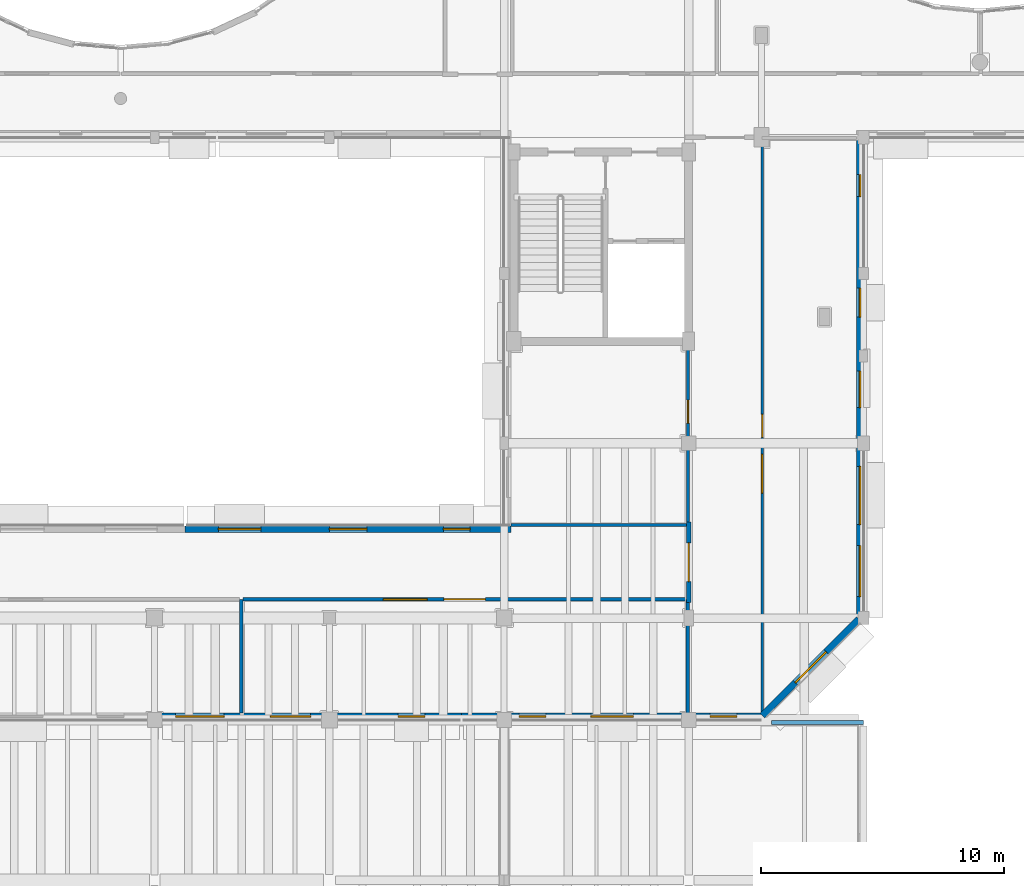
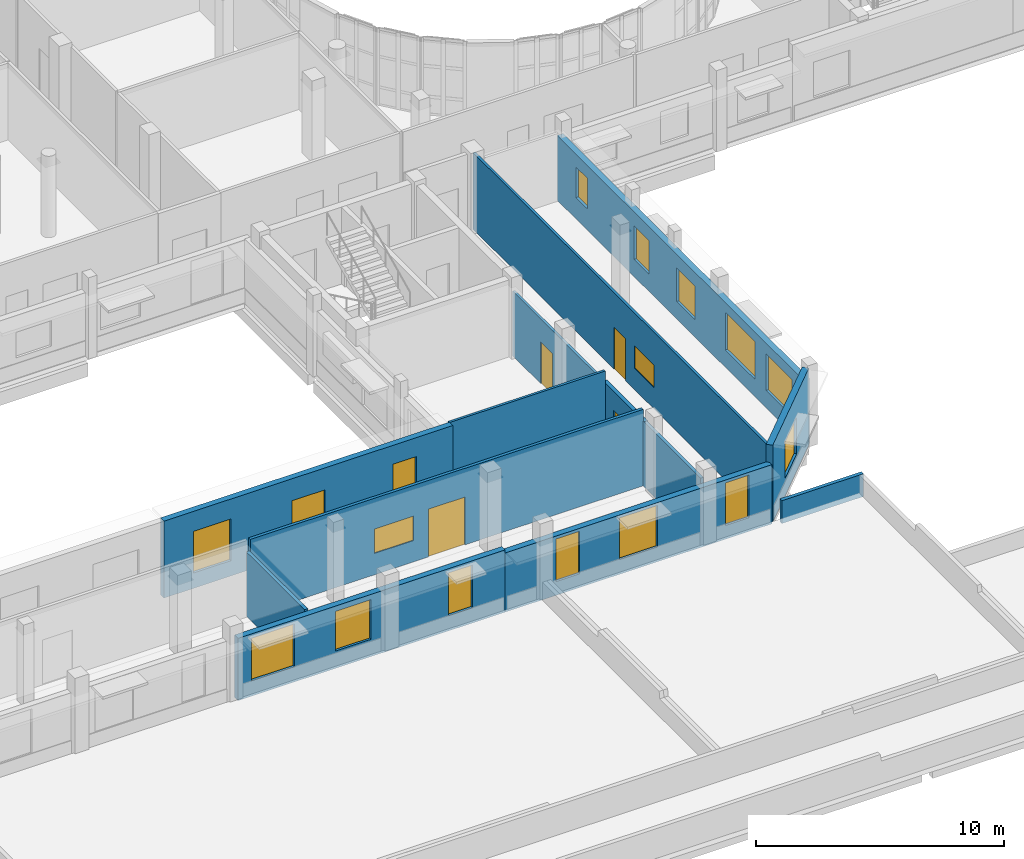
# One storey, part 77 of 105: 17 windows, 13 walls, 4 doors, 21 openings.
"""IFC4 building model written with IfcOpenShell, lengths in metres."""

from ifc_helpers import new_model, si_unit, direction, frame, frame_2d, origin, place, context, subcontext, project, spatial, rectangle, extrude, material, layer, layer_set, type_object, element, fill, save


model = new_model("IFC4")

# Units and contexts
model_context = context("Model", 3, precision=1e-05, world=origin(), true_north=direction((0.0, 1.0)))
body_context = subcontext(model_context, "Body", "Model", "MODEL_VIEW")
ifc_project = project(units=[si_unit("LENGTHUNIT", "METRE"), si_unit("AREAUNIT", "SQUARE_METRE"), si_unit("VOLUMEUNIT", "CUBIC_METRE"), si_unit("PLANEANGLEUNIT", "RADIAN"), si_unit("MASSUNIT", "GRAM", prefix="KILO")], contexts=[model_context])

# Site, building, storey
site_placement = place(None, origin())
site = spatial("IfcSite", under=ifc_project, at=site_placement, CompositionType="ELEMENT")
building_placement = place(site_placement, origin())
building = spatial("IfcBuilding", under=site, at=building_placement, Name="Kelanivale Promenade Academy", CompositionType="ELEMENT")
storey_placement = place(building_placement, frame((0.0, 0.0, 4.199951171875)))
storey = spatial("IfcBuildingStorey", under=building, at=storey_placement, Name="L01", CompositionType="ELEMENT", Elevation=4.199951171875)

# Wall, openings, windows
ifc_material_1 = material(Name="Insulated ivory stucco masonry wall 280 mm", Category="masonry")
ifc_layer_1 = layer(ifc_material_1, 0.280029296875)
ifc_layer_set_1 = layer_set([ifc_layer_1], Name="Insulated ivory stucco masonry wall 280 mm")
wall_type_1 = type_object("IfcWallType", Name="EW-02 Wall 280mm", PredefinedType="SOLIDWALL", material=ifc_layer_set_1)
wall_1_placement = place(storey_placement, frame((65.0458984375, 18.139892578125, 0.0), z_axis=(0.0, 0.0, 1.0), x_axis=(1.0, 0.0, 0.0)))
wall_1 = element("IfcWall", 1, at=wall_1_placement, inside=storey, type_object=wall_type_1, Name="L01 exterior facade wall EW-L01-ORT-0358", PredefinedType="SOLIDWALL", context=body_context, shape_type="SweptSolid", body=[
    extrude(rectangle(XDim=12.404052734375, YDim=0.280029296875, at=frame_2d((6.2021484375, 0.0))), origin(), (0.0, 0.0, 1.0), 3.06005859375),
])
opening_1_placement = place(wall_1_placement, frame((0.616943359375, 0.0, 0.75)))
opening_1 = element("IfcOpeningElement", 2, at=opening_1_placement, cuts=wall_1, Name="Opening WT-14", PredefinedType="OPENING", context=body_context, shape_type="SweptSolid", body=[
    extrude(rectangle(XDim=2.0, YDim=2.10009765625, at=frame_2d((1.0, 1.050048828125))), frame((0.0, 0.14990234375, 0.0), z_axis=(0.0, -1.0, 0.0), x_axis=(1.0, 0.0, 0.0)), (0.0, 0.0, 1.0), 0.300048828125),
])
opening_2_placement = place(wall_1_placement, frame((4.527099609375, 0.0, 0.85009765625)))
opening_2 = element("IfcOpeningElement", 3, at=opening_2_placement, cuts=wall_1, Name="Opening WT-16", PredefinedType="OPENING", context=body_context, shape_type="SweptSolid", body=[
    extrude(rectangle(XDim=1.64990234375, YDim=1.949951171875, at=frame_2d((0.824951171875, 0.97509765625))), frame((0.0, 0.14990234375, 0.0), z_axis=(0.0, -1.0, 0.0), x_axis=(1.0, 0.0, 0.0)), (0.0, 0.0, 1.0), 0.300048828125),
])
opening_3_placement = place(wall_1_placement, frame((9.787109375, 0.0, 0.75)))
opening_3 = element("IfcOpeningElement", 4, at=opening_3_placement, cuts=wall_1, Name="Opening WT-17", PredefinedType="OPENING", context=body_context, shape_type="SweptSolid", body=[
    extrude(rectangle(XDim=1.10009765625, YDim=2.10009765625, at=frame_2d((0.550048828125, 1.050048828125))), frame((0.0, 0.14990234375, 0.0), z_axis=(0.0, -1.0, 0.0), x_axis=(1.0, 0.0, 0.0)), (0.0, 0.0, 1.0), 0.300048828125),
])
ifc_material_2 = material(Name="Bronze anodised aluminium frame with low-E laminated glass", Category="aluminium")
window_type_1 = type_object("IfcWindowType", Name="WT-14 Window 2000x2100", PartitioningType="SINGLE_PANEL", PredefinedType="WINDOW", material=ifc_material_2)
window_1_placement = place(opening_1_placement, origin())
window_1 = element("IfcWindow", 5, at=window_1_placement, inside=storey, type_object=window_type_1, Name="Window WT-14", OverallHeight=2.10009765625, OverallWidth=2.0, PartitioningType="SINGLE_PANEL", PredefinedType="WINDOW", context=body_context, shape_type="SweptSolid", body=[
    extrude(rectangle(XDim=2.0, YDim=2.10009765625, at=frame_2d((1.0, 1.050048828125))), frame((0.0, 0.030029296875, 0.0), z_axis=(0.0, -1.0, 0.0), x_axis=(1.0, 0.0, 0.0)), (0.0, 0.0, 1.0), 0.06005859375),
])
fill(opening_1, window_1)
window_type_2 = type_object("IfcWindowType", Name="WT-16 Window 1650x1950", PartitioningType="SINGLE_PANEL", PredefinedType="WINDOW", material=ifc_material_2)
window_2_placement = place(opening_2_placement, origin())
window_2 = element("IfcWindow", 6, at=window_2_placement, inside=storey, type_object=window_type_2, Name="Window WT-16", OverallHeight=1.949951171875, OverallWidth=1.64990234375, PartitioningType="SINGLE_PANEL", PredefinedType="WINDOW", context=body_context, shape_type="SweptSolid", body=[
    extrude(rectangle(XDim=1.64990234375, YDim=1.949951171875, at=frame_2d((0.824951171875, 0.97509765625))), frame((0.0, 0.030029296875, 0.0), z_axis=(0.0, -1.0, 0.0), x_axis=(1.0, 0.0, 0.0)), (0.0, 0.0, 1.0), 0.06005859375),
])
fill(opening_2, window_2)
window_type_3 = type_object("IfcWindowType", Name="WT-17 Window 1100x2100", PartitioningType="SINGLE_PANEL", PredefinedType="WINDOW", material=ifc_material_2)
window_3_placement = place(opening_3_placement, origin())
window_3 = element("IfcWindow", 7, at=window_3_placement, inside=storey, type_object=window_type_3, Name="Window WT-17", OverallHeight=2.10009765625, OverallWidth=1.10009765625, PartitioningType="SINGLE_PANEL", PredefinedType="WINDOW", context=body_context, shape_type="SweptSolid", body=[
    extrude(rectangle(XDim=1.10009765625, YDim=2.10009765625, at=frame_2d((0.550048828125, 1.050048828125))), frame((0.0, 0.030029296875, 0.0), z_axis=(0.0, -1.0, 0.0), x_axis=(1.0, 0.0, 0.0)), (0.0, 0.0, 1.0), 0.06005859375),
])
fill(opening_3, window_3)

wall_2_placement = place(storey_placement, frame((77.449951171875, 18.139892578125, 0.0), z_axis=(0.0, 0.0, 1.0), x_axis=(1.0, 0.0, 0.0)))
wall_2 = element("IfcWall", 8, at=wall_2_placement, inside=storey, type_object=wall_type_1, Name="L01 exterior facade wall EW-L01-ORT-0359", PredefinedType="SOLIDWALL", context=body_context, shape_type="SweptSolid", body=[
    extrude(rectangle(XDim=12.404052734375, YDim=0.280029296875, at=frame_2d((6.2021484375, 0.0))), origin(), (0.0, 0.0, 1.0), 2.91015625),
])
opening_4_placement = place(wall_2_placement, frame((2.366943359375, 0.0, 0.669921875)))
opening_4 = element("IfcOpeningElement", 9, at=opening_4_placement, cuts=wall_2, Name="Opening WT-17", PredefinedType="OPENING", context=body_context, shape_type="SweptSolid", body=[
    extrude(rectangle(XDim=1.10009765625, YDim=2.10009765625, at=frame_2d((0.550048828125, 1.050048828125))), frame((0.0, 0.14990234375, 0.0), z_axis=(0.0, -1.0, 0.0), x_axis=(1.0, 0.0, 0.0)), (0.0, 0.0, 1.0), 0.300048828125),
])
opening_5_placement = place(wall_2_placement, frame((5.326904296875, 0.0, 0.719970703125)))
opening_5 = element("IfcOpeningElement", 10, at=opening_5_placement, cuts=wall_2, Name="Opening WT-32", PredefinedType="OPENING", context=body_context, shape_type="SweptSolid", body=[
    extrude(rectangle(XDim=1.75, YDim=2.050048828125, at=frame_2d((0.875, 1.02490234375))), frame((0.0, 0.14990234375, 0.0), z_axis=(0.0, -1.0, 0.0), x_axis=(1.0, 0.0, 0.0)), (0.0, 0.0, 1.0), 0.300048828125),
])
opening_6_placement = place(wall_2_placement, frame((10.237060546875, 0.0, 0.669921875)))
opening_6 = element("IfcOpeningElement", 11, at=opening_6_placement, cuts=wall_2, Name="Opening WT-17", PredefinedType="OPENING", context=body_context, shape_type="SweptSolid", body=[
    extrude(rectangle(XDim=1.10009765625, YDim=2.10009765625, at=frame_2d((0.550048828125, 1.050048828125))), frame((0.0, 0.14990234375, 0.0), z_axis=(0.0, -1.0, 0.0), x_axis=(1.0, 0.0, 0.0)), (0.0, 0.0, 1.0), 0.300048828125),
])
window_4_placement = place(opening_4_placement, origin())
window_4 = element("IfcWindow", 12, at=window_4_placement, inside=storey, type_object=window_type_3, Name="Window WT-17", OverallHeight=2.10009765625, OverallWidth=1.10009765625, PartitioningType="SINGLE_PANEL", PredefinedType="WINDOW", context=body_context, shape_type="SweptSolid", body=[
    extrude(rectangle(XDim=1.10009765625, YDim=2.10009765625, at=frame_2d((0.550048828125, 1.050048828125))), frame((0.0, 0.030029296875, 0.0), z_axis=(0.0, -1.0, 0.0), x_axis=(1.0, 0.0, 0.0)), (0.0, 0.0, 1.0), 0.06005859375),
])
fill(opening_4, window_4)
window_5_placement = place(opening_6_placement, origin())
window_5 = element("IfcWindow", 13, at=window_5_placement, inside=storey, type_object=window_type_3, Name="Window WT-17", OverallHeight=2.10009765625, OverallWidth=1.10009765625, PartitioningType="SINGLE_PANEL", PredefinedType="WINDOW", context=body_context, shape_type="SweptSolid", body=[
    extrude(rectangle(XDim=1.10009765625, YDim=2.10009765625, at=frame_2d((0.550048828125, 1.050048828125))), frame((0.0, 0.030029296875, 0.0), z_axis=(0.0, -1.0, 0.0), x_axis=(1.0, 0.0, 0.0)), (0.0, 0.0, 1.0), 0.06005859375),
])
fill(opening_6, window_5)
window_type_4 = type_object("IfcWindowType", Name="WT-32 Window 1750x2050", PartitioningType="SINGLE_PANEL", PredefinedType="WINDOW", material=ifc_material_2)
window_6_placement = place(opening_5_placement, origin())
window_6 = element("IfcWindow", 14, at=window_6_placement, inside=storey, type_object=window_type_4, Name="Window WT-32", OverallHeight=2.050048828125, OverallWidth=1.75, PartitioningType="SINGLE_PANEL", PredefinedType="WINDOW", context=body_context, shape_type="SweptSolid", body=[
    extrude(rectangle(XDim=1.75, YDim=2.050048828125, at=frame_2d((0.875, 1.02490234375))), frame((0.0, 0.030029296875, 0.0), z_axis=(0.0, -1.0, 0.0), x_axis=(1.0, 0.0, 0.0)), (0.0, 0.0, 1.0), 0.06005859375),
])
fill(opening_5, window_6)

# Wall, opening, window
wall_3_placement = place(storey_placement, frame((89.842041015625, 18.18408203125, 0.0), z_axis=(0.0, 0.0, 1.0), x_axis=(0.707106781187, 0.707106781187, 0.0)))
wall_3 = element("IfcWall", 15, at=wall_3_placement, inside=storey, type_object=wall_type_1, Name="L01 exterior facade wall EW-L01-ORT-0360", PredefinedType="SOLIDWALL", context=body_context, shape_type="SweptSolid", body=[
    extrude(rectangle(XDim=5.619873046875, YDim=0.280029296875, at=frame_2d((2.81005859375, 0.0))), origin(), (0.0, 0.0, 1.0), 3.780029296875),
])
opening_7_placement = place(wall_3_placement, frame((1.909912109375, 0.0, 0.85009765625)))
opening_7 = element("IfcOpeningElement", 16, at=opening_7_placement, cuts=wall_3, Name="Opening WT-01", PredefinedType="OPENING", context=body_context, shape_type="SweptSolid", body=[
    extrude(rectangle(XDim=1.800048828125, YDim=1.800048828125, at=frame_2d((0.89990234375, 0.89990234375))), frame((0.0, 0.14990234375, 0.0), z_axis=(0.0, -1.0, 0.0), x_axis=(1.0, 0.0, 0.0)), (0.0, 0.0, 1.0), 0.300048828125),
])
window_type_5 = type_object("IfcWindowType", Name="WT-01 Window 1800x1800", PartitioningType="SINGLE_PANEL", PredefinedType="WINDOW", material=ifc_material_2)
window_7_placement = place(opening_7_placement, origin())
window_7 = element("IfcWindow", 17, at=window_7_placement, inside=storey, type_object=window_type_5, Name="Window WT-01", OverallHeight=1.800048828125, OverallWidth=1.800048828125, PartitioningType="SINGLE_PANEL", PredefinedType="WINDOW", context=body_context, shape_type="SweptSolid", body=[
    extrude(rectangle(XDim=1.800048828125, YDim=1.800048828125, at=frame_2d((0.89990234375, 0.89990234375))), frame((0.0, 0.030029296875, 0.0), z_axis=(0.0, -1.0, 0.0), x_axis=(1.0, 0.0, 0.0)), (0.0, 0.0, 1.0), 0.06005859375),
])
fill(opening_7, window_7)

# Wall, openings, windows
wall_4_placement = place(storey_placement, frame((93.860107421875, 22.14599609375, 0.0), z_axis=(0.0, 0.0, 1.0), x_axis=(0.0, 1.0, 0.0)))
wall_4 = element("IfcWall", 18, at=wall_4_placement, inside=storey, type_object=wall_type_1, Name="L01 exterior facade wall EW-L01-ORT-0361", PredefinedType="SOLIDWALL", context=body_context, shape_type="SweptSolid", body=[
    extrude(rectangle(XDim=19.85400390625, YDim=0.280029296875, at=frame_2d((9.927001953125, 0.0))), origin(), (0.0, 0.0, 1.0), 3.175048828125),
])
opening_8_placement = place(wall_4_placement, frame((0.93505859375, 0.0, 0.85009765625)))
opening_8 = element("IfcOpeningElement", 19, at=opening_8_placement, cuts=wall_4, Name="Opening WT-02", PredefinedType="OPENING", context=body_context, shape_type="SweptSolid", body=[
    extrude(rectangle(XDim=2.10009765625, YDim=1.800048828125, at=frame_2d((1.050048828125, 0.89990234375))), frame((0.0, 0.14990234375, 0.0), z_axis=(0.0, -1.0, 0.0), x_axis=(1.0, 0.0, 0.0)), (0.0, 0.0, 1.0), 0.300048828125),
])
opening_9_placement = place(wall_4_placement, frame((3.906005859375, 0.0, 0.85009765625)))
opening_9 = element("IfcOpeningElement", 20, at=opening_9_placement, cuts=wall_4, Name="Opening WT-03", PredefinedType="OPENING", context=body_context, shape_type="SweptSolid", body=[
    extrude(rectangle(XDim=2.39990234375, YDim=1.85009765625, at=frame_2d((1.199951171875, 0.925048828125))), frame((0.0, 0.14990234375, 0.0), z_axis=(0.0, -1.0, 0.0), x_axis=(1.0, 0.0, 0.0)), (0.0, 0.0, 1.0), 0.300048828125),
])
opening_10_placement = place(wall_4_placement, frame((8.72705078125, 0.0, 0.85009765625)))
opening_10 = element("IfcOpeningElement", 21, at=opening_10_placement, cuts=wall_4, Name="Opening WT-04", PredefinedType="OPENING", context=body_context, shape_type="SweptSolid", body=[
    extrude(rectangle(XDim=1.5, YDim=1.64990234375, at=frame_2d((0.75, 0.824951171875))), frame((0.0, 0.14990234375, 0.0), z_axis=(0.0, -1.0, 0.0), x_axis=(1.0, 0.0, 0.0)), (0.0, 0.0, 1.0), 0.300048828125),
])
opening_11_placement = place(wall_4_placement, frame((12.447998046875, 0.0, 0.85009765625)))
opening_11 = element("IfcOpeningElement", 22, at=opening_11_placement, cuts=wall_4, Name="Opening WT-05", PredefinedType="OPENING", context=body_context, shape_type="SweptSolid", body=[
    extrude(rectangle(XDim=1.199951171875, YDim=1.64990234375, at=frame_2d((0.60009765625, 0.824951171875))), frame((0.0, 0.14990234375, 0.0), z_axis=(0.0, -1.0, 0.0), x_axis=(1.0, 0.0, 0.0)), (0.0, 0.0, 1.0), 0.300048828125),
])
opening_12_placement = place(wall_4_placement, frame((17.4189453125, 0.0, 1.050048828125)))
opening_12 = element("IfcOpeningElement", 23, at=opening_12_placement, cuts=wall_4, Name="Opening WT-06", PredefinedType="OPENING", context=body_context, shape_type="SweptSolid", body=[
    extrude(rectangle(XDim=0.89990234375, YDim=1.5, at=frame_2d((0.449951171875, 0.75))), frame((0.0, 0.14990234375, 0.0), z_axis=(0.0, -1.0, 0.0), x_axis=(1.0, 0.0, 0.0)), (0.0, 0.0, 1.0), 0.300048828125),
])
window_type_6 = type_object("IfcWindowType", Name="WT-02 Window 2100x1800", PartitioningType="SINGLE_PANEL", PredefinedType="WINDOW", material=ifc_material_2)
window_8_placement = place(opening_8_placement, origin())
window_8 = element("IfcWindow", 24, at=window_8_placement, inside=storey, type_object=window_type_6, Name="Window WT-02", OverallHeight=1.800048828125, OverallWidth=2.10009765625, PartitioningType="SINGLE_PANEL", PredefinedType="WINDOW", context=body_context, shape_type="SweptSolid", body=[
    extrude(rectangle(XDim=2.10009765625, YDim=1.800048828125, at=frame_2d((1.050048828125, 0.89990234375))), frame((0.0, 0.030029296875, 0.0), z_axis=(0.0, -1.0, 0.0), x_axis=(1.0, 0.0, 0.0)), (0.0, 0.0, 1.0), 0.06005859375),
])
fill(opening_8, window_8)
window_type_7 = type_object("IfcWindowType", Name="WT-03 Window 2400x1850", PartitioningType="SINGLE_PANEL", PredefinedType="WINDOW", material=ifc_material_2)
window_9_placement = place(opening_9_placement, origin())
window_9 = element("IfcWindow", 25, at=window_9_placement, inside=storey, type_object=window_type_7, Name="Window WT-03", OverallHeight=1.85009765625, OverallWidth=2.39990234375, PartitioningType="SINGLE_PANEL", PredefinedType="WINDOW", context=body_context, shape_type="SweptSolid", body=[
    extrude(rectangle(XDim=2.39990234375, YDim=1.85009765625, at=frame_2d((1.199951171875, 0.925048828125))), frame((0.0, 0.030029296875, 0.0), z_axis=(0.0, -1.0, 0.0), x_axis=(1.0, 0.0, 0.0)), (0.0, 0.0, 1.0), 0.06005859375),
])
fill(opening_9, window_9)
window_type_8 = type_object("IfcWindowType", Name="WT-04 Window 1500x1650", PartitioningType="SINGLE_PANEL", PredefinedType="WINDOW", material=ifc_material_2)
window_10_placement = place(opening_10_placement, origin())
window_10 = element("IfcWindow", 26, at=window_10_placement, inside=storey, type_object=window_type_8, Name="Window WT-04", OverallHeight=1.64990234375, OverallWidth=1.5, PartitioningType="SINGLE_PANEL", PredefinedType="WINDOW", context=body_context, shape_type="SweptSolid", body=[
    extrude(rectangle(XDim=1.5, YDim=1.64990234375, at=frame_2d((0.75, 0.824951171875))), frame((0.0, 0.030029296875, 0.0), z_axis=(0.0, -1.0, 0.0), x_axis=(1.0, 0.0, 0.0)), (0.0, 0.0, 1.0), 0.06005859375),
])
fill(opening_10, window_10)
window_type_9 = type_object("IfcWindowType", Name="WT-05 Window 1200x1650", PartitioningType="SINGLE_PANEL", PredefinedType="WINDOW", material=ifc_material_2)
window_11_placement = place(opening_11_placement, origin())
window_11 = element("IfcWindow", 27, at=window_11_placement, inside=storey, type_object=window_type_9, Name="Window WT-05", OverallHeight=1.64990234375, OverallWidth=1.199951171875, PartitioningType="SINGLE_PANEL", PredefinedType="WINDOW", context=body_context, shape_type="SweptSolid", body=[
    extrude(rectangle(XDim=1.199951171875, YDim=1.64990234375, at=frame_2d((0.60009765625, 0.824951171875))), frame((0.0, 0.030029296875, 0.0), z_axis=(0.0, -1.0, 0.0), x_axis=(1.0, 0.0, 0.0)), (0.0, 0.0, 1.0), 0.06005859375),
])
fill(opening_11, window_11)
window_type_10 = type_object("IfcWindowType", Name="WT-06 Window 900x1500", PartitioningType="SINGLE_PANEL", PredefinedType="WINDOW", material=ifc_material_2)
window_12_placement = place(opening_12_placement, origin())
window_12 = element("IfcWindow", 28, at=window_12_placement, inside=storey, type_object=window_type_10, Name="Window WT-06", OverallHeight=1.5, OverallWidth=0.89990234375, PartitioningType="SINGLE_PANEL", PredefinedType="WINDOW", context=body_context, shape_type="SweptSolid", body=[
    extrude(rectangle(XDim=0.89990234375, YDim=1.5, at=frame_2d((0.449951171875, 0.75))), frame((0.0, 0.030029296875, 0.0), z_axis=(0.0, -1.0, 0.0), x_axis=(1.0, 0.0, 0.0)), (0.0, 0.0, 1.0), 0.06005859375),
])
fill(opening_12, window_12)

wall_5_placement = place(storey_placement, frame((79.47998046875, 25.860107421875, 0.0), z_axis=(0.0, 0.0, 1.0), x_axis=(-1.0, 0.0, 0.0)))
wall_5 = element("IfcWall", 29, at=wall_5_placement, inside=storey, type_object=wall_type_1, Name="L01 exterior facade wall EW-L01-ORT-0394", PredefinedType="SOLIDWALL", context=body_context, shape_type="SweptSolid", body=[
    extrude(rectangle(XDim=13.4189453125, YDim=0.280029296875, at=frame_2d((6.70947265625, 0.0))), origin(), (0.0, 0.0, 1.0), 3.780029296875),
])
opening_13_placement = place(wall_5_placement, frame((1.68603515625, 0.0, 0.75)))
opening_13 = element("IfcOpeningElement", 30, at=opening_13_placement, cuts=wall_5, Name="Opening WT-17", PredefinedType="OPENING", context=body_context, shape_type="SweptSolid", body=[
    extrude(rectangle(XDim=1.10009765625, YDim=2.10009765625, at=frame_2d((0.550048828125, 1.050048828125))), frame((0.0, 0.14990234375, 0.0), z_axis=(0.0, -1.0, 0.0), x_axis=(1.0, 0.0, 0.0)), (0.0, 0.0, 1.0), 0.300048828125),
])
opening_14_placement = place(wall_5_placement, frame((5.93408203125, 0.0, 0.85009765625)))
opening_14 = element("IfcOpeningElement", 31, at=opening_14_placement, cuts=wall_5, Name="Opening WT-31", PredefinedType="OPENING", context=body_context, shape_type="SweptSolid", body=[
    extrude(rectangle(XDim=1.550048828125, YDim=1.85009765625, at=frame_2d((0.77490234375, 0.925048828125))), frame((0.0, 0.14990234375, 0.0), z_axis=(0.0, -1.0, 0.0), x_axis=(1.0, 0.0, 0.0)), (0.0, 0.0, 1.0), 0.300048828125),
])
opening_15_placement = place(wall_5_placement, frame((10.306884765625, 0.0, 0.75)))
opening_15 = element("IfcOpeningElement", 32, at=opening_15_placement, cuts=wall_5, Name="Opening WT-32", PredefinedType="OPENING", context=body_context, shape_type="SweptSolid", body=[
    extrude(rectangle(XDim=1.75, YDim=2.050048828125, at=frame_2d((0.875, 1.02490234375))), frame((0.0, 0.14990234375, 0.0), z_axis=(0.0, -1.0, 0.0), x_axis=(1.0, 0.0, 0.0)), (0.0, 0.0, 1.0), 0.300048828125),
])
window_13_placement = place(opening_13_placement, origin())
window_13 = element("IfcWindow", 33, at=window_13_placement, inside=storey, type_object=window_type_3, Name="Window WT-17", OverallHeight=2.10009765625, OverallWidth=1.10009765625, PartitioningType="SINGLE_PANEL", PredefinedType="WINDOW", context=body_context, shape_type="SweptSolid", body=[
    extrude(rectangle(XDim=1.10009765625, YDim=2.10009765625, at=frame_2d((0.550048828125, 1.050048828125))), frame((0.0, 0.030029296875, 0.0), z_axis=(0.0, -1.0, 0.0), x_axis=(1.0, 0.0, 0.0)), (0.0, 0.0, 1.0), 0.06005859375),
])
fill(opening_13, window_13)
window_type_11 = type_object("IfcWindowType", Name="WT-31 Window 1550x1850", PartitioningType="SINGLE_PANEL", PredefinedType="WINDOW", material=ifc_material_2)
window_14_placement = place(opening_14_placement, origin())
window_14 = element("IfcWindow", 34, at=window_14_placement, inside=storey, type_object=window_type_11, Name="Window WT-31", OverallHeight=1.85009765625, OverallWidth=1.550048828125, PartitioningType="SINGLE_PANEL", PredefinedType="WINDOW", context=body_context, shape_type="SweptSolid", body=[
    extrude(rectangle(XDim=1.550048828125, YDim=1.85009765625, at=frame_2d((0.77490234375, 0.925048828125))), frame((0.0, 0.030029296875, 0.0), z_axis=(0.0, -1.0, 0.0), x_axis=(1.0, 0.0, 0.0)), (0.0, 0.0, 1.0), 0.06005859375),
])
fill(opening_14, window_14)
window_15_placement = place(opening_15_placement, origin())
window_15 = element("IfcWindow", 35, at=window_15_placement, inside=storey, type_object=window_type_4, Name="Window WT-32", OverallHeight=2.050048828125, OverallWidth=1.75, PartitioningType="SINGLE_PANEL", PredefinedType="WINDOW", context=body_context, shape_type="SweptSolid", body=[
    extrude(rectangle(XDim=1.75, YDim=2.050048828125, at=frame_2d((0.875, 1.02490234375))), frame((0.0, 0.030029296875, 0.0), z_axis=(0.0, -1.0, 0.0), x_axis=(1.0, 0.0, 0.0)), (0.0, 0.0, 1.0), 0.06005859375),
])
fill(opening_15, window_15)

# Wall, opening, door
ifc_material_3 = material(Name="Autoclaved masonry blockwork 180 mm", Category="masonry")
ifc_layer_2 = layer(ifc_material_3, 0.179931640625)
ifc_layer_set_2 = layer_set([ifc_layer_2], Name="Autoclaved masonry blockwork 180 mm")
wall_type_2 = type_object("IfcWallType", Name="IW-02 Wall 180mm", PredefinedType="PARTITIONING", material=ifc_layer_set_2)
wall_6_placement = place(storey_placement, frame((86.800048828125, 22.85009765625, 0.0), z_axis=(0.0, 0.0, 1.0), x_axis=(0.0, 1.0, 0.0)))
wall_6 = element("IfcWall", 36, at=wall_6_placement, inside=storey, type_object=wall_type_2, Name="L01 cross-corridor fire wall", PredefinedType="PARTITIONING", context=body_context, shape_type="SweptSolid", body=[
    extrude(rectangle(XDim=3.2998046875, YDim=0.179931640625, at=frame_2d((1.64990234375, 0.0))), origin(), (0.0, 0.0, 1.0), 3.175048828125),
])
opening_16_placement = place(wall_6_placement, frame((0.85009765625, 0.0, 0.0)))
opening_16 = element("IfcOpeningElement", 37, at=opening_16_placement, cuts=wall_6, Name="Opening FD-L01-CC-059", PredefinedType="OPENING", context=body_context, shape_type="SweptSolid", body=[
    extrude(rectangle(XDim=1.60009765625, YDim=2.25, at=frame_2d((0.800048828125, 1.125))), frame((0.0, 0.10009765625, 0.0), z_axis=(0.0, -1.0, 0.0), x_axis=(1.0, 0.0, 0.0)), (0.0, 0.0, 1.0), 0.199951171875),
])
ifc_material_4 = material(Name="Fire-rated steel-core teak veneer", Category="steel")
door_type_1 = type_object("IfcDoorType", Name="DT-F09 Door 1600x2250", OperationType="NOTDEFINED", PredefinedType="DOOR", material=ifc_material_4)
door_1_placement = place(opening_16_placement, origin())
door_1 = element("IfcDoor", 38, at=door_1_placement, inside=storey, type_object=door_type_1, Name="L01 cross-corridor fire door FD-L01-CC-059", OperationType="DOUBLE_DOOR_SINGLE_SWING", OverallHeight=2.25, OverallWidth=1.60009765625, PredefinedType="DOOR", context=body_context, shape_type="SweptSolid", body=[
    extrude(rectangle(XDim=1.60009765625, YDim=2.25, at=frame_2d((0.800048828125, 1.125))), frame((0.0, 0.02490234375, 0.0), z_axis=(0.0, -1.0, 0.0), x_axis=(1.0, 0.0, 0.0)), (0.0, 0.0, 1.0), 0.050048828125),
])
fill(opening_16, door_1)

# Walls
ifc_material_5 = material(Name="Acoustic gypsum-lined masonry partition 150 mm", Category="masonry")
ifc_layer_3 = layer(ifc_material_5, 0.14990234375)
ifc_layer_set_3 = layer_set([ifc_layer_3], Name="Acoustic gypsum-lined masonry partition 150 mm")
wall_type_3 = type_object("IfcWallType", Name="IW-03 Wall 150mm", PredefinedType="PARTITIONING", material=ifc_layer_set_3)
wall_7_placement = place(storey_placement, frame((68.3701171875, 18.278076171875, 0.0), z_axis=(0.0, 0.0, 1.0), x_axis=(0.0, 1.0, 0.0)))
element("IfcWall", 39, at=wall_7_placement, inside=storey, type_object=wall_type_3, Name="L01 partition Culinary Teaching Studio", PredefinedType="PARTITIONING", context=body_context, shape_type="SweptSolid", body=[
    extrude(rectangle(XDim=4.69189453125, YDim=0.14990234375, at=frame_2d((2.345947265625, 0.0))), origin(), (0.0, 0.0, 1.0), 3.16015625),
])
ifc_material_6 = material(Name="Acoustic double-stud gypsum board partition 140 mm", Category="masonry")
ifc_layer_4 = layer(ifc_material_6, 0.139892578125)
ifc_layer_set_4 = layer_set([ifc_layer_4], Name="Acoustic double-stud gypsum board partition 140 mm")
wall_type_4 = type_object("IfcWallType", Name="IW-04 Wall 140mm", PredefinedType="PARTITIONING", material=ifc_layer_set_4)
wall_8_placement = place(storey_placement, frame((86.77001953125, 18.278076171875, 0.0), z_axis=(0.0, 0.0, 1.0), x_axis=(0.0, 1.0, 0.0)))
element("IfcWall", 40, at=wall_8_placement, inside=storey, type_object=wall_type_4, Name="L01 partition Sixth Form Refectory", PredefinedType="PARTITIONING", context=body_context, shape_type="SweptSolid", body=[
    extrude(rectangle(XDim=4.69189453125, YDim=0.139892578125, at=frame_2d((2.345947265625, 0.0))), origin(), (0.0, 0.0, 1.0), 3.175048828125),
])

# Wall, openings, door, window
wall_9_placement = place(storey_placement, frame((86.701904296875, 22.969970703125, 0.0), z_axis=(0.0, 0.0, 1.0), x_axis=(-1.0, 0.0, 0.0)))
wall_9 = element("IfcWall", 41, at=wall_9_placement, inside=storey, type_object=wall_type_4, Name="L01 partition Sixth Form Refectory", PredefinedType="PARTITIONING", context=body_context, shape_type="SweptSolid", body=[
    extrude(rectangle(XDim=18.2587890625, YDim=0.139892578125, at=frame_2d((9.12939453125, 0.0))), origin(), (0.0, 0.0, 1.0), 3.760009765625),
])
opening_17_placement = place(wall_9_placement, frame((8.280029296875, 0.0, 0.0)))
opening_17 = element("IfcOpeningElement", 42, at=opening_17_placement, cuts=wall_9, Name="Opening ID-L01-075", PredefinedType="OPENING", context=body_context, shape_type="SweptSolid", body=[
    extrude(rectangle(XDim=1.699951171875, YDim=2.35009765625, at=frame_2d((0.85009765625, 1.175048828125))), frame((0.0, 0.080078125, 0.0), z_axis=(0.0, -1.0, 0.0), x_axis=(1.0, 0.0, 0.0)), (0.0, 0.0, 1.0), 0.159912109375),
])
opening_18_placement = place(wall_9_placement, frame((10.679931640625, 0.0, 1.050048828125)))
opening_18 = element("IfcOpeningElement", 43, at=opening_18_placement, cuts=wall_9, Name="Opening WT-I02", PredefinedType="OPENING", context=body_context, shape_type="SweptSolid", body=[
    extrude(rectangle(XDim=1.800048828125, YDim=1.199951171875, at=frame_2d((0.89990234375, 0.60009765625))), frame((0.0, 0.080078125, 0.0), z_axis=(0.0, -1.0, 0.0), x_axis=(1.0, 0.0, 0.0)), (0.0, 0.0, 1.0), 0.159912109375),
])
ifc_material_7 = material(Name="Solid-core tropical teak timber", Category="wood")
door_type_2 = type_object("IfcDoorType", Name="DT-I11 Door 1700x2350", OperationType="NOTDEFINED", PredefinedType="DOOR", material=ifc_material_7)
door_2_placement = place(opening_17_placement, origin())
door_2 = element("IfcDoor", 44, at=door_2_placement, inside=storey, type_object=door_type_2, Name="Sixth Form Refectory door ID-L01-075", OperationType="DOUBLE_DOOR_SINGLE_SWING", OverallHeight=2.35009765625, OverallWidth=1.699951171875, PredefinedType="DOOR", context=body_context, shape_type="SweptSolid", body=[
    extrude(rectangle(XDim=1.699951171875, YDim=2.35009765625, at=frame_2d((0.85009765625, 1.175048828125))), frame((0.0, 0.02490234375, 0.0), z_axis=(0.0, -1.0, 0.0), x_axis=(1.0, 0.0, 0.0)), (0.0, 0.0, 1.0), 0.050048828125),
])
fill(opening_17, door_2)
window_type_12 = type_object("IfcWindowType", Name="WT-I02 Window 1800x1200", PartitioningType="SINGLE_PANEL", PredefinedType="WINDOW", material=ifc_material_2)
window_16_placement = place(opening_18_placement, origin())
window_16 = element("IfcWindow", 45, at=window_16_placement, inside=storey, type_object=window_type_12, Name="Interior observation window WT-I02", OverallHeight=1.199951171875, OverallWidth=1.800048828125, PartitioningType="SINGLE_PANEL", PredefinedType="WINDOW", context=body_context, shape_type="SweptSolid", body=[
    extrude(rectangle(XDim=1.800048828125, YDim=1.199951171875, at=frame_2d((0.89990234375, 0.60009765625))), frame((0.0, 0.030029296875, 0.0), z_axis=(0.0, -1.0, 0.0), x_axis=(1.0, 0.0, 0.0)), (0.0, 0.0, 1.0), 0.06005859375),
])
fill(opening_18, window_16)

# Wall
ifc_material_8 = material(Name="Lightweight gypsum stud partition 115 mm", Category="masonry")
ifc_layer_5 = layer(ifc_material_8, 0.114990234375)
ifc_layer_set_5 = layer_set([ifc_layer_5], Name="Lightweight gypsum stud partition 115 mm")
wall_type_5 = type_object("IfcWallType", Name="IW-06 Wall 115mm", PredefinedType="PARTITIONING", material=ifc_layer_set_5)
wall_10_placement = place(storey_placement, frame((79.47802734375, 26.030029296875, 0.0), z_axis=(0.0, 0.0, 1.0), x_axis=(1.0, 0.0, 0.0)))
element("IfcWall", 46, at=wall_10_placement, inside=storey, type_object=wall_type_5, Name="L01 partition Admissions and Finance Office", PredefinedType="PARTITIONING", context=body_context, shape_type="SweptSolid", body=[
    extrude(rectangle(XDim=7.23388671875, YDim=0.114990234375, at=frame_2d((3.616943359375, 0.0))), origin(), (0.0, 0.0, 1.0), 3.775146484375),
])

# Wall, opening, door
wall_11_placement = place(storey_placement, frame((86.77001953125, 26.030029296875, 0.0), z_axis=(0.0, 0.0, 1.0), x_axis=(0.0, 1.0, 0.0)))
wall_11 = element("IfcWall", 47, at=wall_11_placement, inside=storey, type_object=wall_type_5, Name="L01 partition Admissions and Finance Office", PredefinedType="PARTITIONING", context=body_context, shape_type="SweptSolid", body=[
    extrude(rectangle(XDim=7.406982421875, YDim=0.114990234375, at=frame_2d((3.70361328125, 0.0))), origin(), (0.0, 0.0, 1.0), 3.175048828125),
])
opening_19_placement = place(wall_11_placement, frame((4.197021484375, 0.0, 0.0)))
opening_19 = element("IfcOpeningElement", 48, at=opening_19_placement, cuts=wall_11, Name="Opening ID-L01-076", PredefinedType="OPENING", context=body_context, shape_type="SweptSolid", body=[
    extrude(rectangle(XDim=0.949951171875, YDim=2.050048828125, at=frame_2d((0.47509765625, 1.02490234375))), frame((0.0, 0.0673828125, 0.0), z_axis=(0.0, -1.0, 0.0), x_axis=(1.0, 0.0, 0.0)), (0.0, 0.0, 1.0), 0.135009765625),
])
door_type_3 = type_object("IfcDoorType", Name="DT-I07 Door 950x2050", OperationType="NOTDEFINED", PredefinedType="DOOR", material=ifc_material_7)
door_3_placement = place(opening_19_placement, origin())
door_3 = element("IfcDoor", 49, at=door_3_placement, inside=storey, type_object=door_type_3, Name="Admissions and Finance Office door ID-L01-076", OperationType="SINGLE_SWING_RIGHT", OverallHeight=2.050048828125, OverallWidth=0.949951171875, PredefinedType="DOOR", context=body_context, shape_type="SweptSolid", body=[
    extrude(rectangle(XDim=0.949951171875, YDim=2.050048828125, at=frame_2d((0.47509765625, 1.02490234375))), frame((0.0, 0.02490234375, 0.0), z_axis=(0.0, -1.0, 0.0), x_axis=(1.0, 0.0, 0.0)), (0.0, 0.0, 1.0), 0.050048828125),
])
fill(opening_19, door_3)

# Wall, openings, door, window
wall_12_placement = place(storey_placement, frame((89.830078125, 41.912109375, 0.0), z_axis=(0.0, 0.0, 1.0), x_axis=(0.0, -1.0, 0.0)))
wall_12 = element("IfcWall", 50, at=wall_12_placement, inside=storey, type_object=wall_type_5, Name="L01 partition Principal and Pastoral Office", PredefinedType="PARTITIONING", context=body_context, shape_type="SweptSolid", body=[
    extrude(rectangle(XDim=23.591064453125, YDim=0.114990234375, at=frame_2d((11.79541015625, 0.0))), origin(), (0.0, 0.0, 1.0), 3.760009765625),
])
opening_20_placement = place(wall_12_placement, frame((11.320068359375, 0.0, 0.0)))
opening_20 = element("IfcOpeningElement", 51, at=opening_20_placement, cuts=wall_12, Name="Opening ID-L01-077", PredefinedType="OPENING", context=body_context, shape_type="SweptSolid", body=[
    extrude(rectangle(XDim=0.949951171875, YDim=2.050048828125, at=frame_2d((0.47509765625, 1.02490234375))), frame((0.0, 0.0673828125, 0.0), z_axis=(0.0, -1.0, 0.0), x_axis=(1.0, 0.0, 0.0)), (0.0, 0.0, 1.0), 0.135009765625),
])
opening_21_placement = place(wall_12_placement, frame((12.969970703125, 0.0, 1.050048828125)))
opening_21 = element("IfcOpeningElement", 52, at=opening_21_placement, cuts=wall_12, Name="Opening WT-I01", PredefinedType="OPENING", context=body_context, shape_type="SweptSolid", body=[
    extrude(rectangle(XDim=1.60009765625, YDim=1.10009765625, at=frame_2d((0.800048828125, 0.550048828125))), frame((0.0, 0.0673828125, 0.0), z_axis=(0.0, -1.0, 0.0), x_axis=(1.0, 0.0, 0.0)), (0.0, 0.0, 1.0), 0.135009765625),
])
door_4_placement = place(opening_20_placement, origin())
door_4 = element("IfcDoor", 53, at=door_4_placement, inside=storey, type_object=door_type_3, Name="Principal and Pastoral Office door ID-L01-077", OperationType="SINGLE_SWING_LEFT", OverallHeight=2.050048828125, OverallWidth=0.949951171875, PredefinedType="DOOR", context=body_context, shape_type="SweptSolid", body=[
    extrude(rectangle(XDim=0.949951171875, YDim=2.050048828125, at=frame_2d((0.47509765625, 1.02490234375))), frame((0.0, 0.02490234375, 0.0), z_axis=(0.0, -1.0, 0.0), x_axis=(1.0, 0.0, 0.0)), (0.0, 0.0, 1.0), 0.050048828125),
])
fill(opening_20, door_4)
window_type_13 = type_object("IfcWindowType", Name="WT-I01 Window 1600x1100", PartitioningType="SINGLE_PANEL", PredefinedType="WINDOW", material=ifc_material_2)
window_17_placement = place(opening_21_placement, origin())
window_17 = element("IfcWindow", 54, at=window_17_placement, inside=storey, type_object=window_type_13, Name="Interior observation window WT-I01", OverallHeight=1.10009765625, OverallWidth=1.60009765625, PartitioningType="SINGLE_PANEL", PredefinedType="WINDOW", context=body_context, shape_type="SweptSolid", body=[
    extrude(rectangle(XDim=1.60009765625, YDim=1.10009765625, at=frame_2d((0.800048828125, 0.550048828125))), frame((0.0, 0.030029296875, 0.0), z_axis=(0.0, -1.0, 0.0), x_axis=(1.0, 0.0, 0.0)), (0.0, 0.0, 1.0), 0.06005859375),
])
fill(opening_21, window_17)

# Wall
ifc_material_9 = material(Name="Precast concrete C40/50", Category="concrete")
ifc_layer_6 = layer(ifc_material_9, 0.1650390625)
ifc_layer_set_6 = layer_set([ifc_layer_6], Name="Precast concrete C40/50")
wall_type_6 = type_object("IfcWallType", Name="PW-02 Wall 165mm", PredefinedType="PARAPET", material=ifc_layer_set_6)
wall_13_placement = place(storey_placement, frame((93.9990234375, 17.902099609375, 0.0), z_axis=(0.0, 0.0, 1.0), x_axis=(-1.0, 0.0, 0.0)))
element("IfcWall", 55, at=wall_13_placement, inside=storey, type_object=wall_type_6, Name="L01 stepped Art Deco roof parapet", PredefinedType="PARAPET", context=body_context, shape_type="SweptSolid", body=[
    extrude(rectangle(XDim=3.7880859375, YDim=0.1650390625, at=frame_2d((1.89404296875, 0.0))), origin(), (0.0, 0.0, 1.0), 1.1201171875),
])

save(model, "model.ifc")
